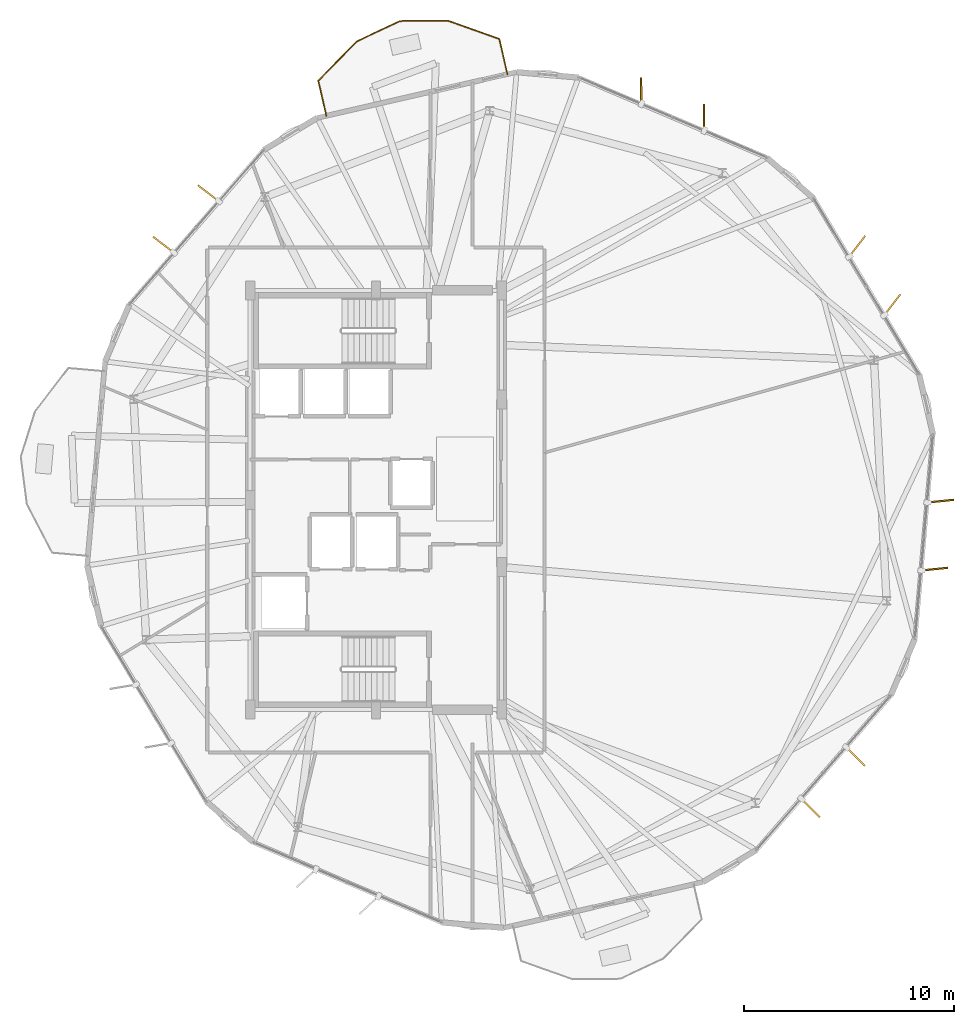
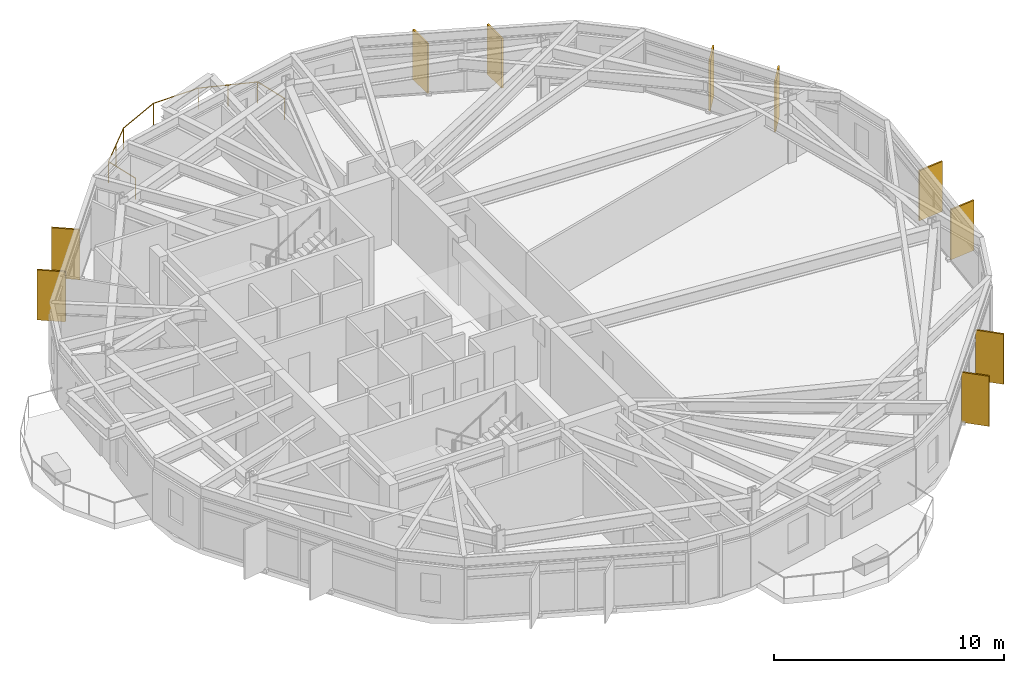
# One storey, part 27 of 27: 10 shading devices, 1 railing.
"""IFC4 building model written with IfcOpenShell, lengths in metres."""

from ifc_helpers import new_model, si_unit, direction, frame, origin, origin_2d, place, context, subcontext, project, spatial, rectangle, circle, extrude, material, layer, layer_set, type_object, element, save


model = new_model("IFC4")

# Units and contexts
model_context = context("Model", 3, precision=1e-05, world=origin(), true_north=direction((0.0, 1.0)))
body_context = subcontext(model_context, "Body", "Model", "MODEL_VIEW")
ifc_project = project(units=[si_unit("LENGTHUNIT", "METRE"), si_unit("AREAUNIT", "SQUARE_METRE"), si_unit("VOLUMEUNIT", "CUBIC_METRE"), si_unit("PLANEANGLEUNIT", "RADIAN"), si_unit("MASSUNIT", "GRAM", prefix="KILO")], contexts=[model_context])

# Site, building, storey
site_placement = place(None, origin())
site = spatial("IfcSite", under=ifc_project, at=site_placement, CompositionType="ELEMENT")
building_placement = place(site_placement, origin())
building = spatial("IfcBuilding", under=site, at=building_placement, Name="Soratama Intermodal Tower", CompositionType="ELEMENT")
storey_placement = place(building_placement, frame((0.0, 0.0, 212.199951171875)))
storey = spatial("IfcBuildingStorey", under=building, at=storey_placement, Name="L53", CompositionType="ELEMENT", Elevation=212.199951171875)

# Railing
ifc_material_1 = material(Name="Laminated glass and stainless steel balustrade", Category="steel")
railing_type = type_object("IfcRailingType", Name="RL-BAL-1150", PredefinedType="BALUSTRADE", material=ifc_material_1)
railing_placement = place(storey_placement, frame((36.230712890625, 43.3330078125, 0.0)))
element("IfcRailing", 1, at=railing_placement, inside=storey, type_object=railing_type, Name="L53 Balcony Balustrade 1", PredefinedType="BALUSTRADE", context=body_context, shape_type="SweptSolid", body=[
    extrude(circle(Radius=0.02392578125, at=origin_2d()), frame((0.0, 0.0, 1.1259765625), z_axis=(-0.224258231116, 0.974529756229, 0.0), x_axis=(-0.974529756229, -0.224258231116, 0.0)), (0.0, 0.0, 1.0), 1.719970703125),
    extrude(circle(Radius=0.02392578125, at=origin_2d()), frame((-0.3857421875, 1.67626953125, 1.1259765625), z_axis=(0.700813470763, 0.713344572558, 0.0), x_axis=(-0.713344572558, 0.700813470763, 0.0)), (0.0, 0.0, 1.0), 2.630126953125),
    extrude(circle(Radius=0.02392578125, at=origin_2d()), frame((1.45751953125, 3.552490234375, 1.1259765625), z_axis=(0.904125158054, 0.427267713003, 0.0), x_axis=(-0.427267713003, 0.904125158054, 0.0)), (0.0, 0.0, 1.0), 2.26953125),
    extrude(circle(Radius=0.02392578125, at=origin_2d()), frame((3.509521484375, 4.522216796875, 1.1259765625), z_axis=(0.999939807982, 0.010971800819, 0.0), x_axis=(-0.010971800819, 0.999939807982, 0.0)), (0.0, 0.0, 1.0), 2.269775390625),
    extrude(circle(Radius=0.02392578125, at=origin_2d()), frame((5.779052734375, 4.547119140625, 1.1259765625), z_axis=(0.942123503754, -0.335266019267, 0.0), x_axis=(0.335266019267, 0.942123503754, 0.0)), (0.0, 0.0, 1.0), 2.63037109375),
    extrude(circle(Radius=0.02392578125, at=origin_2d()), frame((8.257080078125, 3.665283203125, 1.1259765625), z_axis=(0.224258231116, -0.974529756229, 0.0), x_axis=(0.974529756229, 0.224258231116, 0.0)), (0.0, 0.0, 1.0), 1.719970703125),
    extrude(circle(Radius=0.02099609375, at=origin_2d()), origin(), (0.0, 0.0, 1.0), 1.101806640625),
    extrude(circle(Radius=0.02099609375, at=origin_2d()), frame((-0.3857421875, 1.67626953125, 0.0)), (0.0, 0.0, 1.0), 1.101806640625),
    extrude(circle(Radius=0.02099609375, at=origin_2d()), frame((0.535888671875, 2.6142578125, 0.0)), (0.0, 0.0, 1.0), 1.101806640625),
    extrude(circle(Radius=0.02099609375, at=origin_2d()), frame((1.45751953125, 3.552490234375, 0.0)), (0.0, 0.0, 1.0), 1.101806640625),
    extrude(circle(Radius=0.02099609375, at=origin_2d()), frame((3.509521484375, 4.522216796875, 0.0)), (0.0, 0.0, 1.0), 1.101806640625),
    extrude(circle(Radius=0.02099609375, at=origin_2d()), frame((5.779052734375, 4.547119140625, 0.0)), (0.0, 0.0, 1.0), 1.101806640625),
    extrude(circle(Radius=0.02099609375, at=origin_2d()), frame((7.01806640625, 4.106201171875, 0.0)), (0.0, 0.0, 1.0), 1.101806640625),
    extrude(circle(Radius=0.02099609375, at=origin_2d()), frame((8.257080078125, 3.665283203125, 0.0)), (0.0, 0.0, 1.0), 1.101806640625),
    extrude(circle(Radius=0.02099609375, at=origin_2d()), frame((8.642822265625, 1.989013671875, 0.0)), (0.0, 0.0, 1.0), 1.101806640625),
])

# Shading devices
ifc_material_2 = material(Name="Champagne anodised aluminium solar fin", Category="aluminium")
ifc_layer = layer(ifc_material_2, 0.080078125)
ifc_layer_set = layer_set([ifc_layer], Name="Champagne anodised aluminium solar fin")
shading_device_type = type_object("IfcShadingDeviceType", Name="SH-FIN-1250", PredefinedType="USERDEFINED", material=ifc_layer_set)
for number, where, z_axis, x_axis, name in (
    (2, (54.252685546875, 43.258544921875, 0.02001953125), (0.0, 0.0, 1.0), (-0.011518918316, 0.99993365506, 0.0), "L53 Solar Fin F01-1"),
    (3, (51.25634765625, 44.532958984375, 0.02001953125), (0.0, 0.0, 1.0), (-0.011518918316, 0.99993365506, 0.0), "L53 Solar Fin F01-2"),
    (4, (30.596923828125, 39.640625, 0.02001953125), (0.0, 0.0, 1.0), (-0.795579233667, 0.605849554723, 0.0), "L53 Solar Fin F03-1"),
    (5, (28.458984375, 37.1845703125, 0.02001953125), (0.0, 0.0, 1.0), (-0.795579233667, 0.605849554723, 0.0), "L53 Solar Fin F03-2"),
    (6, (59.34765625, 10.295654296875, 0.02001953125), (0.0, 0.0, 1.0), (0.709693707598, -0.704510355776, 0.0), "L53 Solar Fin F08-1"),
    (7, (61.485595703125, 12.751708984375, 0.02001953125), (0.0, 0.0, 1.0), (0.709693707598, -0.704510355776, 0.0), "L53 Solar Fin F08-2"),
    (8, (65.254638671875, 21.70166015625, 0.02001953125), (0.0, 0.0, 1.0), (0.994774337437, 0.102098078224, 0.0), "L53 Solar Fin F09-1"),
    (9, (65.540771484375, 24.9453125, 0.02001953125), (0.0, 0.0, 1.0), (0.994774337437, 0.102098078224, 0.0), "L53 Solar Fin F09-2"),
    (10, (63.23876953125, 34.317138671875, 0.02001953125), (0.0, 0.0, 1.0), (0.610974512974, 0.791650266529, 0.0), "L53 Solar Fin F10-1"),
    (11, (61.563720703125, 37.109619140625, 0.02001953125), (0.0, 0.0, 1.0), (0.610974512974, 0.791650266529, 0.0), "L53 Solar Fin F10-2"),
):
    element("IfcShadingDevice", number, at=place(storey_placement, frame(where, z_axis=z_axis, x_axis=x_axis)), inside=storey, type_object=shading_device_type, Name=name, ObjectType="FIN", PredefinedType="USERDEFINED", context=body_context, shape_type="SweptSolid", body=[
        extrude(rectangle(XDim=1.25, YDim=0.080078125, at=origin_2d()), origin(), (0.0, 0.0, 1.0), 2.658935546875),
    ])

save(model, "model.ifc")
